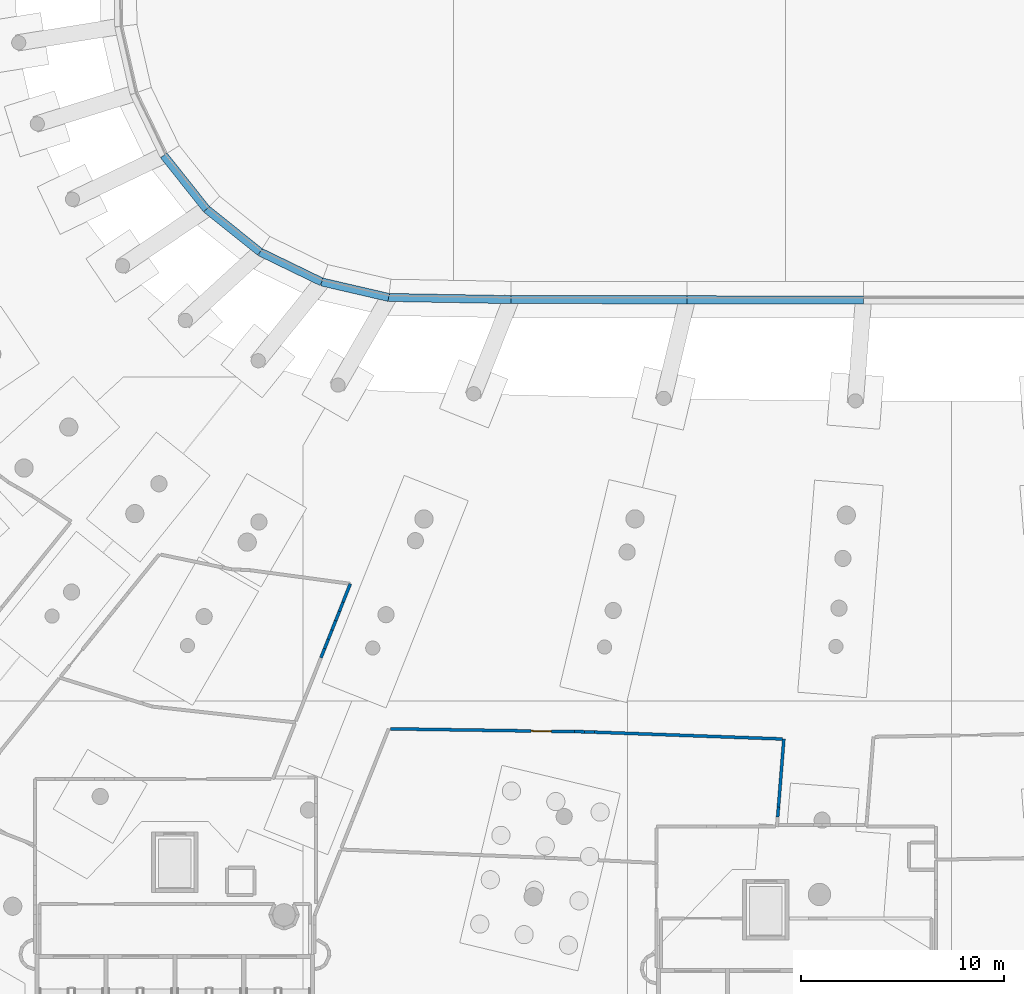
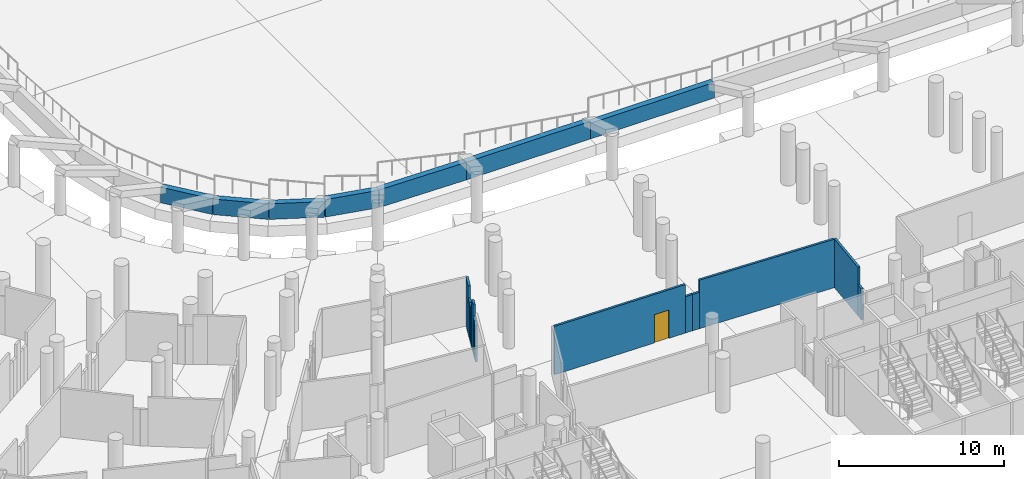
# One storey, part 43 of 142: 20 walls, 1 door, 1 opening.
"""IFC4 building model written with IfcOpenShell, lengths in metres."""

from ifc_helpers import new_model, si_unit, direction, frame, frame_2d, origin, place, context, subcontext, project, spatial, rectangle, extrude, material, layer, layer_set, type_object, element, fill, save


model = new_model("IFC4")

# Units and contexts
model_context = context("Model", 3, precision=1e-05, world=origin(), true_north=direction((0.0, 1.0)))
body_context = subcontext(model_context, "Body", "Model", "MODEL_VIEW")
ifc_project = project(units=[si_unit("LENGTHUNIT", "METRE"), si_unit("AREAUNIT", "SQUARE_METRE"), si_unit("VOLUMEUNIT", "CUBIC_METRE"), si_unit("PLANEANGLEUNIT", "RADIAN"), si_unit("MASSUNIT", "GRAM", prefix="KILO")], contexts=[model_context])

# Site, building, storey
site_placement = place(None, origin())
site = spatial("IfcSite", under=ifc_project, at=site_placement, CompositionType="ELEMENT")
building_placement = place(site_placement, origin())
building = spatial("IfcBuilding", under=site, at=building_placement, Name="Meseta Stadium", CompositionType="ELEMENT")
storey_placement = place(building_placement, frame((0.0, 0.0, -4.0)))
storey = spatial("IfcBuildingStorey", under=building, at=storey_placement, Name="B1", CompositionType="ELEMENT", Elevation=-4.0)

# Walls
ifc_material_1 = material(Name="Masonry blockwork", Category="masonry")
ifc_layer_1 = layer(ifc_material_1, 0.14990234375)
ifc_layer_set_1 = layer_set([ifc_layer_1], Name="Partition 150")
wall_type_1 = type_object("IfcWallType", Name="Partition 150", PredefinedType="PARTITIONING", material=ifc_layer_set_1)
wall_1_placement = place(storey_placement, frame((-29.67333984375, -74.212158203125, 0.0), z_axis=(0.0, 0.0, 1.0), x_axis=(-0.368814804984, -0.929502899202, 0.0)))
element("IfcWall", 1, at=wall_1_placement, inside=storey, type_object=wall_type_1, Name="Partition B1 B1-cell21-1-0", PredefinedType="PARTITIONING", context=body_context, shape_type="SweptSolid", body=[
    extrude(rectangle(XDim=0.98095703125, YDim=0.14990234375, at=frame_2d((0.490478515625, 0.0))), origin(), (0.0, 0.0, 1.0), 3.60009765625),
])
for number, where, z_axis, x_axis, name in (
    (2, (-30.03515625, -75.1240234375, 0.0), (0.0, 0.0, 1.0), (-0.368729509372, -0.929536738875, 0.0), "Partition B1 B1-cell21-1-0"),
    (3, (-30.216064453125, -75.580078125, 0.0), (0.0, 0.0, 1.0), (-0.369159345825, -0.929366115904, 0.0), "Partition B1 B1-cell21-1-0"),
):
    element("IfcWall", number, at=place(storey_placement, frame(where, z_axis=z_axis, x_axis=x_axis)), inside=storey, type_object=wall_type_1, Name=name, PredefinedType="PARTITIONING", context=body_context, shape_type="SweptSolid", body=[
        extrude(rectangle(XDim=0.49072265625, YDim=0.14990234375, at=frame_2d((0.245361328125, 0.0))), origin(), (0.0, 0.0, 1.0), 2.699951171875),
    ])
wall_2_placement = place(storey_placement, frame((-30.397216796875, -76.0361328125, 0.0), z_axis=(0.0, 0.0, 1.0), x_axis=(-0.36829943625, -0.92970722556, 0.0)))
element("IfcWall", 4, at=wall_2_placement, inside=storey, type_object=wall_type_1, Name="Partition B1 B1-cell21-1-0", PredefinedType="PARTITIONING", context=body_context, shape_type="SweptSolid", body=[
    extrude(rectangle(XDim=0.490478515625, YDim=0.14990234375, at=frame_2d((0.2451171875, 0.0))), origin(), (0.0, 0.0, 1.0), 2.699951171875),
])
wall_3_placement = place(storey_placement, frame((-30.577880859375, -76.4921875, 0.0), z_axis=(0.0, 0.0, 1.0), x_axis=(-0.369330109566, -0.929298267602, 0.0)))
element("IfcWall", 5, at=wall_3_placement, inside=storey, type_object=wall_type_1, Name="Partition B1 B1-cell21-1-0", PredefinedType="PARTITIONING", context=body_context, shape_type="SweptSolid", body=[
    extrude(rectangle(XDim=0.490478515625, YDim=0.14990234375, at=frame_2d((0.2451171875, 0.0))), origin(), (0.0, 0.0, 1.0), 3.60009765625),
])
for number, where, z_axis, x_axis, name in (
    (6, (-30.759033203125, -76.947998046875, 0.0), (0.0, 0.0, 1.0), (-0.368729509372, -0.929536738875, 0.0), "Partition B1 B1-cell21-1-0"),
    (7, (-30.93994140625, -77.404052734375, 0.0), (0.0, 0.0, 1.0), (-0.368729509372, -0.929536738875, 0.0), "Partition B1 B1-cell21-1-0"),
):
    element("IfcWall", number, at=place(storey_placement, frame(where, z_axis=z_axis, x_axis=x_axis)), inside=storey, type_object=wall_type_1, Name=name, PredefinedType="PARTITIONING", context=body_context, shape_type="SweptSolid", body=[
        extrude(rectangle(XDim=0.49072265625, YDim=0.14990234375, at=frame_2d((0.245361328125, 0.0))), origin(), (0.0, 0.0, 1.0), 2.699951171875),
    ])
wall_4_placement = place(storey_placement, frame((-8.276123046875, -81.873291015625, 0.0), z_axis=(0.0, 0.0, 1.0), x_axis=(-0.079118582515, -0.996865211501, 0.0)))
element("IfcWall", 8, at=wall_4_placement, inside=storey, type_object=wall_type_1, Name="Partition B1 B1-cell22-1-0", PredefinedType="PARTITIONING", context=body_context, shape_type="SweptSolid", body=[
    extrude(rectangle(XDim=3.375732421875, YDim=0.14990234375, at=frame_2d((1.68798828125, 0.0))), origin(), (0.0, 0.0, 1.0), 3.60009765625),
])
wall_5_placement = place(storey_placement, frame((-8.543212890625, -85.238525390625, 0.0), z_axis=(0.0, 0.0, 1.0), x_axis=(-0.079483635771, -0.996836170915, 0.0)))
element("IfcWall", 9, at=wall_5_placement, inside=storey, type_object=wall_type_1, Name="Partition B1 B1-cell22-1-0", PredefinedType="PARTITIONING", context=body_context, shape_type="SweptSolid", body=[
    extrude(rectangle(XDim=0.482177734375, YDim=0.14990234375, at=frame_2d((0.2412109375, 0.0))), origin(), (0.0, 0.0, 1.0), 2.300048828125),
])

# Wall, opening, door
wall_6_placement = place(storey_placement, frame((-27.69921875, -81.369873046875, 0.0), z_axis=(0.0, 0.0, 1.0), x_axis=(0.999884976641, -0.015166854913, 0.0)))
wall_6 = element("IfcWall", 10, at=wall_6_placement, inside=storey, type_object=wall_type_1, Name="Partition B1 B1-cell22-1-0", PredefinedType="PARTITIONING", context=body_context, shape_type="SweptSolid", body=[
    extrude(rectangle(XDim=9.0947265625, YDim=0.14990234375, at=frame_2d((4.54736328125, 0.0))), origin(), (0.0, 0.0, 1.0), 3.60009765625),
])
opening_placement = place(wall_6_placement, frame((6.949951171875, 0.0, 0.0)))
opening = element("IfcOpeningElement", 11, at=opening_placement, cuts=wall_6, Name="Opening D497", PredefinedType="OPENING", context=body_context, shape_type="SweptSolid", body=[
    extrude(rectangle(XDim=1.0, YDim=2.10009765625, at=frame_2d((0.5, 1.050048828125))), frame((0.0, 0.0849609375, 0.0), z_axis=(0.0, -1.0, 0.0), x_axis=(1.0, 0.0, 0.0)), (0.0, 0.0, 1.0), 0.169921875),
])
ifc_material_2 = material(Name="Steel", Category="steel")
door_type = type_object("IfcDoorType", Name="Fire door 1000x2100 EI2 60", OperationType="NOTDEFINED", PredefinedType="DOOR", material=ifc_material_2)
door_placement = place(opening_placement, origin())
door = element("IfcDoor", 12, at=door_placement, inside=storey, type_object=door_type, Name="Door D497", OperationType="SINGLE_SWING_RIGHT", OverallHeight=2.10009765625, OverallWidth=1.0, PredefinedType="DOOR", context=body_context, shape_type="SweptSolid", body=[
    extrude(rectangle(XDim=1.0, YDim=2.10009765625, at=frame_2d((0.5, 1.050048828125))), frame((0.0, 0.02490234375, 0.0), z_axis=(0.0, -1.0, 0.0), x_axis=(1.0, 0.0, 0.0)), (0.0, 0.0, 1.0), 0.050048828125),
])
fill(opening, door)

# Walls
wall_7_placement = place(storey_placement, frame((-18.60546875, -81.5078125, 0.0), z_axis=(0.0, 0.0, 1.0), x_axis=(0.999884887051, -0.015172760046, 0.0)))
element("IfcWall", 13, at=wall_7_placement, inside=storey, type_object=wall_type_1, Name="Partition B1 B1-cell22-1-0", PredefinedType="PARTITIONING", context=body_context, shape_type="SweptSolid", body=[
    extrude(rectangle(XDim=0.482666015625, YDim=0.14990234375, at=frame_2d((0.2412109375, 0.0))), origin(), (0.0, 0.0, 1.0), 2.699951171875),
])
wall_8_placement = place(storey_placement, frame((-18.122802734375, -81.51513671875, 0.0), z_axis=(0.0, 0.0, 1.0), x_axis=(0.999327668451, -0.036663484118, 0.0)))
element("IfcWall", 14, at=wall_8_placement, inside=storey, type_object=wall_type_1, Name="Partition B1 B1-cell22-1-0", PredefinedType="PARTITIONING", context=body_context, shape_type="SweptSolid", body=[
    extrude(rectangle(XDim=0.49267578125, YDim=0.14990234375, at=frame_2d((0.246337890625, 0.0))), origin(), (0.0, 0.0, 1.0), 2.699951171875),
])
wall_9_placement = place(storey_placement, frame((-17.63037109375, -81.533203125, 0.0), z_axis=(0.0, 0.0, 1.0), x_axis=(0.999339567389, -0.036337708373, 0.0)))
element("IfcWall", 15, at=wall_9_placement, inside=storey, type_object=wall_type_1, Name="Partition B1 B1-cell22-1-0", PredefinedType="PARTITIONING", context=body_context, shape_type="SweptSolid", body=[
    extrude(rectangle(XDim=9.28515625, YDim=0.14990234375, at=frame_2d((4.642578125, 0.0))), origin(), (0.0, 0.0, 1.0), 3.60009765625),
])
ifc_material_3 = material(Name="Concrete C40/50", Category="concrete")
ifc_layer_2 = layer(ifc_material_3, 0.39990234375)
ifc_layer_set_2 = layer_set([ifc_layer_2], Name="Pitch wall 400")
wall_type_2 = type_object("IfcWallType", Name="Pitch wall 400", PredefinedType="SOLIDWALL", material=ifc_layer_set_2)
for number, where, z_axis, x_axis, name in (
    (16, (-38.881103515625, -53.067138671875, -0.39990234375), (0.0, 0.0, 1.0), (0.622451335574, -0.782658504612, 0.0), "Pitch wall bay 40"),
    (17, (-36.7724609375, -55.718505859375, -0.39990234375), (0.0, 0.0, 1.0), (0.780608604491, -0.625020164951, 0.0), "Pitch wall bay 41"),
):
    element("IfcWall", number, at=place(storey_placement, frame(where, z_axis=z_axis, x_axis=x_axis)), inside=storey, type_object=wall_type_2, Name=name, PredefinedType="SOLIDWALL", context=body_context, shape_type="SweptSolid", body=[
        extrude(rectangle(XDim=3.3876953125, YDim=0.39990234375, at=frame_2d((1.69384765625, 0.0))), origin(), (0.0, 0.0, 1.0), 1.15869140625),
    ])
wall_10_placement = place(storey_placement, frame((-34.1279296875, -57.8359375, -0.39990234375), z_axis=(0.0, 0.0, 1.0), x_axis=(0.899795244886, -0.436312407893, 0.0)))
element("IfcWall", 18, at=wall_10_placement, inside=storey, type_object=wall_type_2, Name="Pitch wall bay 42", PredefinedType="SOLIDWALL", context=body_context, shape_type="SweptSolid", body=[
    extrude(rectangle(XDim=3.387451171875, YDim=0.39990234375, at=frame_2d((1.69384765625, 0.0))), origin(), (0.0, 0.0, 1.0), 1.15869140625),
])
wall_11_placement = place(storey_placement, frame((-31.079833984375, -59.31396484375, -0.39990234375), z_axis=(0.0, 0.0, 1.0), x_axis=(0.974178208336, -0.225780465063, 0.0)))
element("IfcWall", 19, at=wall_11_placement, inside=storey, type_object=wall_type_2, Name="Pitch wall bay 43", PredefinedType="SOLIDWALL", context=body_context, shape_type="SweptSolid", body=[
    extrude(rectangle(XDim=3.3876953125, YDim=0.39990234375, at=frame_2d((1.69384765625, 0.0))), origin(), (0.0, 0.0, 1.0), 1.295654296875),
])
wall_12_placement = place(storey_placement, frame((-27.779541015625, -60.078857421875, -0.39990234375), z_axis=(0.0, 0.0, 1.0), x_axis=(0.999843268182, -0.017704210522, 0.0)))
element("IfcWall", 20, at=wall_12_placement, inside=storey, type_object=wall_type_2, Name="Pitch wall bay 44", PredefinedType="SOLIDWALL", context=body_context, shape_type="SweptSolid", body=[
    extrude(rectangle(XDim=6.0400390625, YDim=0.39990234375, at=frame_2d((3.02001953125, 0.0))), origin(), (0.0, 0.0, 1.0), 1.314453125),
])
wall_13_placement = place(storey_placement, frame((-21.740478515625, -60.185791015625, -0.39990234375), z_axis=(0.0, 0.0, 1.0), x_axis=(0.999999489017, -0.001010923074, 0.0)))
element("IfcWall", 21, at=wall_13_placement, inside=storey, type_object=wall_type_2, Name="Pitch wall bay 45", PredefinedType="SOLIDWALL", context=body_context, shape_type="SweptSolid", body=[
    extrude(rectangle(XDim=8.694091796875, YDim=0.39990234375, at=frame_2d((4.34716796875, 0.0))), origin(), (0.0, 0.0, 1.0), 1.314453125),
])
wall_14_placement = place(storey_placement, frame((-13.04638671875, -60.194580078125, -0.39990234375), z_axis=(0.0, 0.0, 1.0), x_axis=(0.999999842404, -0.000561419179, 0.0)))
element("IfcWall", 22, at=wall_14_placement, inside=storey, type_object=wall_type_2, Name="Pitch wall bay 46", PredefinedType="SOLIDWALL", context=body_context, shape_type="SweptSolid", body=[
    extrude(rectangle(XDim=8.697265625, YDim=0.39990234375, at=frame_2d((4.3486328125, 0.0))), origin(), (0.0, 0.0, 1.0), 1.15869140625),
])

save(model, "model.ifc")
